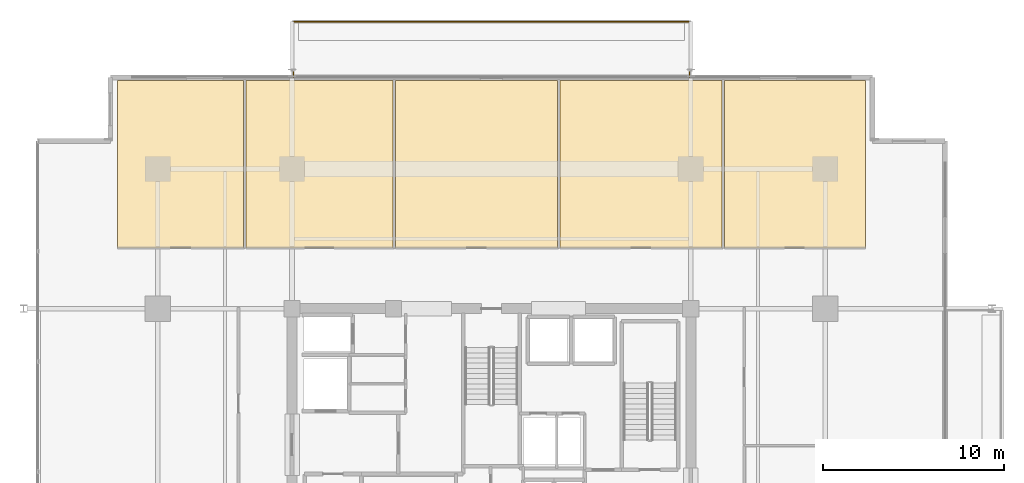
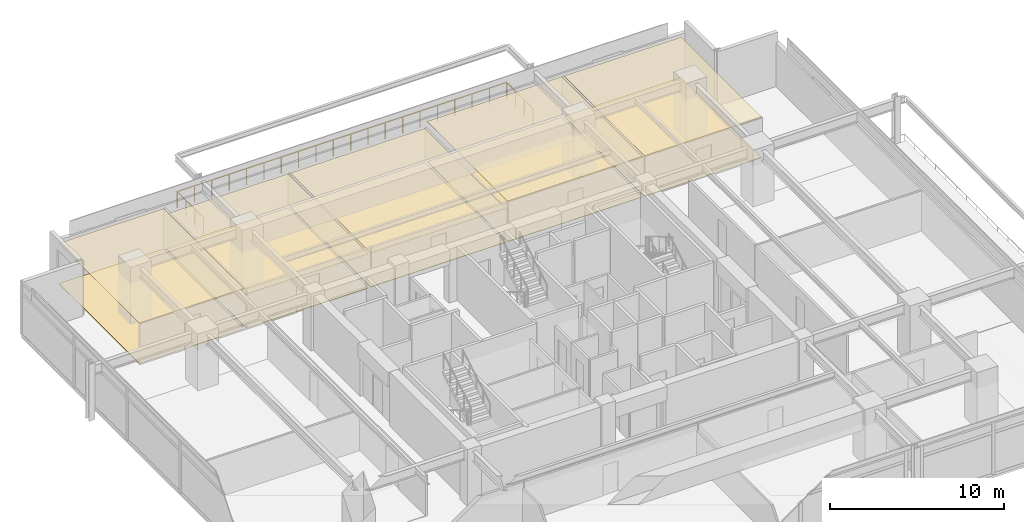
# One storey, part 21 of 21: 10 coverings, 1 railing.
"""IFC4 building model written with IfcOpenShell, lengths in metres."""

from ifc_helpers import new_model, si_unit, direction, frame, origin, origin_2d, place, context, subcontext, project, spatial, polyline, circle, outline, extrude, material, layer, layer_set, type_object, element, save


model = new_model("IFC4")

# Units and contexts
model_context = context("Model", 3, precision=1e-05, world=origin(), true_north=direction((0.0, 1.0)))
body_context = subcontext(model_context, "Body", "Model", "MODEL_VIEW")
ifc_project = project(units=[si_unit("LENGTHUNIT", "METRE"), si_unit("AREAUNIT", "SQUARE_METRE"), si_unit("VOLUMEUNIT", "CUBIC_METRE"), si_unit("PLANEANGLEUNIT", "RADIAN"), si_unit("MASSUNIT", "GRAM", prefix="KILO")], contexts=[model_context])

# Site, building, storey
site_placement = place(None, origin())
site = spatial("IfcSite", under=ifc_project, at=site_placement, CompositionType="ELEMENT")
building_placement = place(site_placement, origin())
building = spatial("IfcBuilding", under=site, at=building_placement, Name="Kovane Verandah Tower", CompositionType="ELEMENT")
storey_placement = place(building_placement, frame((0.0, 0.0, 209.199951171875)))
storey = spatial("IfcBuildingStorey", under=building, at=storey_placement, Name="L48", CompositionType="ELEMENT", Elevation=209.199951171875)

# Coverings
ifc_material_1 = material(Name="Perforated Acoustic Mineral-Fibre Ceiling Tile", Category="gypsum")
ifc_layer_1 = layer(ifc_material_1, 0.02490234375)
ifc_layer_set_1 = layer_set([ifc_layer_1], Name="Perforated Acoustic Mineral-Fibre Ceiling Tile")
covering_type_1 = type_object("IfcCoveringType", Name="CV-CEIL-25", PredefinedType="CEILING", material=ifc_layer_set_1)
covering_1_placement = place(storey_placement, frame((0.0, 0.0, 2.824951171875)))
element("IfcCovering", 1, at=covering_1_placement, inside=storey, type_object=covering_type_1, Name="L48 Executive Office N1 Acoustic Ceiling", PredefinedType="CEILING", context=body_context, shape_type="SweptSolid", body=[
    extrude(outline(polyline([(19.382080078125, 39.85009765625), (26.322265625, 39.85009765625), (26.322265625, 49.091552734375), (19.382080078125, 49.091552734375), (19.382080078125, 39.85009765625)])), origin(), (0.0, 0.0, 1.0), 0.025146484375),
])
covering_2_placement = place(storey_placement, frame((0.0, 0.0, 2.380126953125)))
element("IfcCovering", 2, at=covering_2_placement, inside=storey, type_object=covering_type_1, Name="L48 Client Boardroom N2 Acoustic Ceiling", PredefinedType="CEILING", context=body_context, shape_type="SweptSolid", body=[
    extrude(outline(polyline([(26.462158203125, 39.85009765625), (34.5693359375, 39.85009765625), (34.5693359375, 49.091552734375), (26.462158203125, 49.091552734375), (26.462158203125, 39.85009765625)])), origin(), (0.0, 0.0, 1.0), 0.02490234375),
])
covering_3_placement = place(storey_placement, frame((0.0, 0.0, 2.380126953125)))
element("IfcCovering", 3, at=covering_3_placement, inside=storey, type_object=covering_type_1, Name="L48 Meeting Room N3 Acoustic Ceiling", PredefinedType="CEILING", context=body_context, shape_type="SweptSolid", body=[
    extrude(outline(polyline([(34.709228515625, 39.85009765625), (43.64111328125, 39.85009765625), (43.64111328125, 49.091552734375), (34.709228515625, 49.091552734375), (34.709228515625, 39.85009765625)])), origin(), (0.0, 0.0, 1.0), 0.02490234375),
])
covering_4_placement = place(storey_placement, frame((0.0, 0.0, 2.824951171875)))
element("IfcCovering", 4, at=covering_4_placement, inside=storey, type_object=covering_type_1, Name="L48 Focus Studio N4 Acoustic Ceiling", PredefinedType="CEILING", context=body_context, shape_type="SweptSolid", body=[
    extrude(outline(polyline([(43.78125, 39.85009765625), (52.713134765625, 39.85009765625), (52.713134765625, 49.091552734375), (43.78125, 49.091552734375), (43.78125, 39.85009765625)])), origin(), (0.0, 0.0, 1.0), 0.025146484375),
])
covering_5_placement = place(storey_placement, frame((0.0, 0.0, 2.824951171875)))
element("IfcCovering", 5, at=covering_5_placement, inside=storey, type_object=covering_type_1, Name="L48 Breakout Pantry N5 Acoustic Ceiling", PredefinedType="CEILING", context=body_context, shape_type="SweptSolid", body=[
    extrude(outline(polyline([(52.85302734375, 39.85009765625), (60.617919921875, 39.85009765625), (60.617919921875, 49.091552734375), (52.85302734375, 49.091552734375), (52.85302734375, 39.85009765625)])), origin(), (0.0, 0.0, 1.0), 0.025146484375),
])
ifc_material_2 = material(Name="Polished Terrazzo and Raised-Access Carpet Tile Finish", Category="concrete")
ifc_layer_2 = layer(ifc_material_2, 0.030029296875)
ifc_layer_set_2 = layer_set([ifc_layer_2], Name="Polished Terrazzo and Raised-Access Carpet Tile Finish")
covering_type_2 = type_object("IfcCoveringType", Name="CV-FLOR-30", PredefinedType="FLOORING", material=ifc_layer_set_2)
covering_6_placement = place(storey_placement, origin())
element("IfcCovering", 6, at=covering_6_placement, inside=storey, type_object=covering_type_2, Name="L48 Executive Office N1 Floor Finish", PredefinedType="FLOORING", context=body_context, shape_type="SweptSolid", body=[
    extrude(outline(polyline([(19.382080078125, 39.85009765625), (26.322265625, 39.85009765625), (26.322265625, 49.091552734375), (19.382080078125, 49.091552734375), (19.382080078125, 39.85009765625)])), origin(), (0.0, 0.0, 1.0), 0.030029296875),
])
covering_7_placement = place(storey_placement, origin())
element("IfcCovering", 7, at=covering_7_placement, inside=storey, type_object=covering_type_2, Name="L48 Client Boardroom N2 Floor Finish", PredefinedType="FLOORING", context=body_context, shape_type="SweptSolid", body=[
    extrude(outline(polyline([(26.462158203125, 39.85009765625), (34.5693359375, 39.85009765625), (34.5693359375, 49.091552734375), (26.462158203125, 49.091552734375), (26.462158203125, 39.85009765625)])), origin(), (0.0, 0.0, 1.0), 0.030029296875),
])
covering_8_placement = place(storey_placement, origin())
element("IfcCovering", 8, at=covering_8_placement, inside=storey, type_object=covering_type_2, Name="L48 Meeting Room N3 Floor Finish", PredefinedType="FLOORING", context=body_context, shape_type="SweptSolid", body=[
    extrude(outline(polyline([(34.709228515625, 39.85009765625), (43.64111328125, 39.85009765625), (43.64111328125, 49.091552734375), (34.709228515625, 49.091552734375), (34.709228515625, 39.85009765625)])), origin(), (0.0, 0.0, 1.0), 0.030029296875),
])
covering_9_placement = place(storey_placement, origin())
element("IfcCovering", 9, at=covering_9_placement, inside=storey, type_object=covering_type_2, Name="L48 Focus Studio N4 Floor Finish", PredefinedType="FLOORING", context=body_context, shape_type="SweptSolid", body=[
    extrude(outline(polyline([(43.78125, 39.85009765625), (52.713134765625, 39.85009765625), (52.713134765625, 49.091552734375), (43.78125, 49.091552734375), (43.78125, 39.85009765625)])), origin(), (0.0, 0.0, 1.0), 0.030029296875),
])
covering_10_placement = place(storey_placement, origin())
element("IfcCovering", 10, at=covering_10_placement, inside=storey, type_object=covering_type_2, Name="L48 Breakout Pantry N5 Floor Finish", PredefinedType="FLOORING", context=body_context, shape_type="SweptSolid", body=[
    extrude(outline(polyline([(52.85302734375, 39.85009765625), (60.617919921875, 39.85009765625), (60.617919921875, 49.091552734375), (52.85302734375, 49.091552734375), (52.85302734375, 39.85009765625)])), origin(), (0.0, 0.0, 1.0), 0.030029296875),
])

# Railing
ifc_material_3 = material(Name="Laminated Glass and Pale-Champagne Stainless Balustrade", Category="glass")
railing_type = type_object("IfcRailingType", Name="RL-BAL-1150", PredefinedType="BALUSTRADE", material=ifc_material_3)
railing_placement = place(storey_placement, frame((29.080078125, 49.29150390625, 0.0)))
element("IfcRailing", 11, at=railing_placement, inside=storey, type_object=railing_type, Name="L48 N Verandah Glass Balustrade", PredefinedType="BALUSTRADE", context=body_context, shape_type="SweptSolid", body=[
    extrude(circle(Radius=0.02392578125, at=origin_2d()), frame((0.0, 0.0, 1.1259765625), z_axis=(0.0, 1.0, 0.0), x_axis=(-1.0, 0.0, 0.0)), (0.0, 0.0, 1.0), 3.02001953125),
    extrude(circle(Radius=0.02392578125, at=origin_2d()), frame((0.0, 3.02001953125, 1.1259765625), z_axis=(1.0, 0.0, 0.0), x_axis=(0.0, 1.0, 0.0)), (0.0, 0.0, 1.0), 21.83984375),
    extrude(circle(Radius=0.02392578125, at=origin_2d()), frame((21.83984375, 3.02001953125, 1.1259765625), z_axis=(0.0, -1.0, 0.0), x_axis=(1.0, 0.0, 0.0)), (0.0, 0.0, 1.0), 3.02001953125),
    extrude(circle(Radius=0.02099609375, at=origin_2d()), origin(), (0.0, 0.0, 1.0), 1.101806640625),
    extrude(circle(Radius=0.02099609375, at=origin_2d()), frame((0.0, 1.006591796875, 0.0)), (0.0, 0.0, 1.0), 1.101806640625),
    extrude(circle(Radius=0.02099609375, at=origin_2d()), frame((0.0, 2.013427734375, 0.0)), (0.0, 0.0, 1.0), 1.101806640625),
    extrude(circle(Radius=0.02099609375, at=origin_2d()), frame((0.0, 3.02001953125, 0.0)), (0.0, 0.0, 1.0), 1.101806640625),
    extrude(circle(Radius=0.02099609375, at=origin_2d()), frame((1.1494140625, 3.02001953125, 0.0)), (0.0, 0.0, 1.0), 1.101806640625),
    extrude(circle(Radius=0.02099609375, at=origin_2d()), frame((2.298828125, 3.02001953125, 0.0)), (0.0, 0.0, 1.0), 1.101806640625),
    extrude(circle(Radius=0.02099609375, at=origin_2d()), frame((3.448486328125, 3.02001953125, 0.0)), (0.0, 0.0, 1.0), 1.101806640625),
    extrude(circle(Radius=0.02099609375, at=origin_2d()), frame((4.597900390625, 3.02001953125, 0.0)), (0.0, 0.0, 1.0), 1.101806640625),
    extrude(circle(Radius=0.02099609375, at=origin_2d()), frame((5.747314453125, 3.02001953125, 0.0)), (0.0, 0.0, 1.0), 1.101806640625),
    extrude(circle(Radius=0.02099609375, at=origin_2d()), frame((6.896728515625, 3.02001953125, 0.0)), (0.0, 0.0, 1.0), 1.101806640625),
    extrude(circle(Radius=0.02099609375, at=origin_2d()), frame((8.046142578125, 3.02001953125, 0.0)), (0.0, 0.0, 1.0), 1.101806640625),
    extrude(circle(Radius=0.02099609375, at=origin_2d()), frame((9.19580078125, 3.02001953125, 0.0)), (0.0, 0.0, 1.0), 1.101806640625),
    extrude(circle(Radius=0.02099609375, at=origin_2d()), frame((10.34521484375, 3.02001953125, 0.0)), (0.0, 0.0, 1.0), 1.101806640625),
    extrude(circle(Radius=0.02099609375, at=origin_2d()), frame((11.49462890625, 3.02001953125, 0.0)), (0.0, 0.0, 1.0), 1.101806640625),
    extrude(circle(Radius=0.02099609375, at=origin_2d()), frame((12.64404296875, 3.02001953125, 0.0)), (0.0, 0.0, 1.0), 1.101806640625),
    extrude(circle(Radius=0.02099609375, at=origin_2d()), frame((13.793701171875, 3.02001953125, 0.0)), (0.0, 0.0, 1.0), 1.101806640625),
    extrude(circle(Radius=0.02099609375, at=origin_2d()), frame((14.943115234375, 3.02001953125, 0.0)), (0.0, 0.0, 1.0), 1.101806640625),
    extrude(circle(Radius=0.02099609375, at=origin_2d()), frame((16.092529296875, 3.02001953125, 0.0)), (0.0, 0.0, 1.0), 1.101806640625),
    extrude(circle(Radius=0.02099609375, at=origin_2d()), frame((17.241943359375, 3.02001953125, 0.0)), (0.0, 0.0, 1.0), 1.101806640625),
    extrude(circle(Radius=0.02099609375, at=origin_2d()), frame((18.391357421875, 3.02001953125, 0.0)), (0.0, 0.0, 1.0), 1.101806640625),
    extrude(circle(Radius=0.02099609375, at=origin_2d()), frame((19.541015625, 3.02001953125, 0.0)), (0.0, 0.0, 1.0), 1.101806640625),
    extrude(circle(Radius=0.02099609375, at=origin_2d()), frame((20.6904296875, 3.02001953125, 0.0)), (0.0, 0.0, 1.0), 1.101806640625),
    extrude(circle(Radius=0.02099609375, at=origin_2d()), frame((21.83984375, 3.02001953125, 0.0)), (0.0, 0.0, 1.0), 1.101806640625),
    extrude(circle(Radius=0.02099609375, at=origin_2d()), frame((21.83984375, 2.013427734375, 0.0)), (0.0, 0.0, 1.0), 1.101806640625),
    extrude(circle(Radius=0.02099609375, at=origin_2d()), frame((21.83984375, 1.006591796875, 0.0)), (0.0, 0.0, 1.0), 1.101806640625),
    extrude(circle(Radius=0.02099609375, at=origin_2d()), frame((21.83984375, 0.0, 0.0)), (0.0, 0.0, 1.0), 1.101806640625),
])

save(model, "model.ifc")
